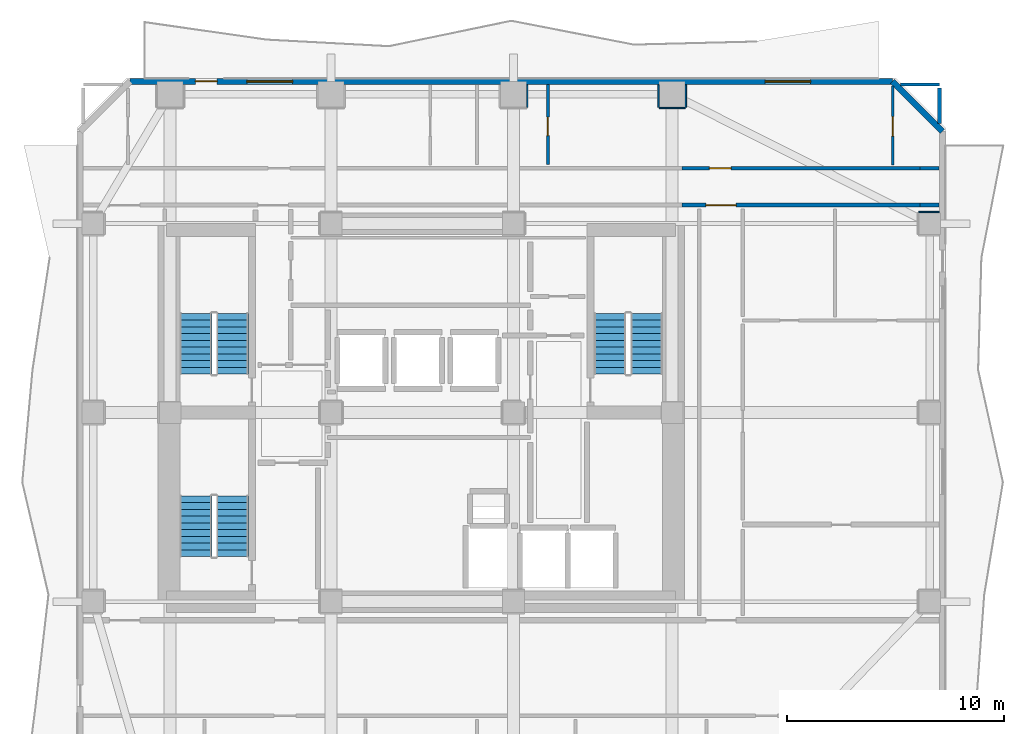
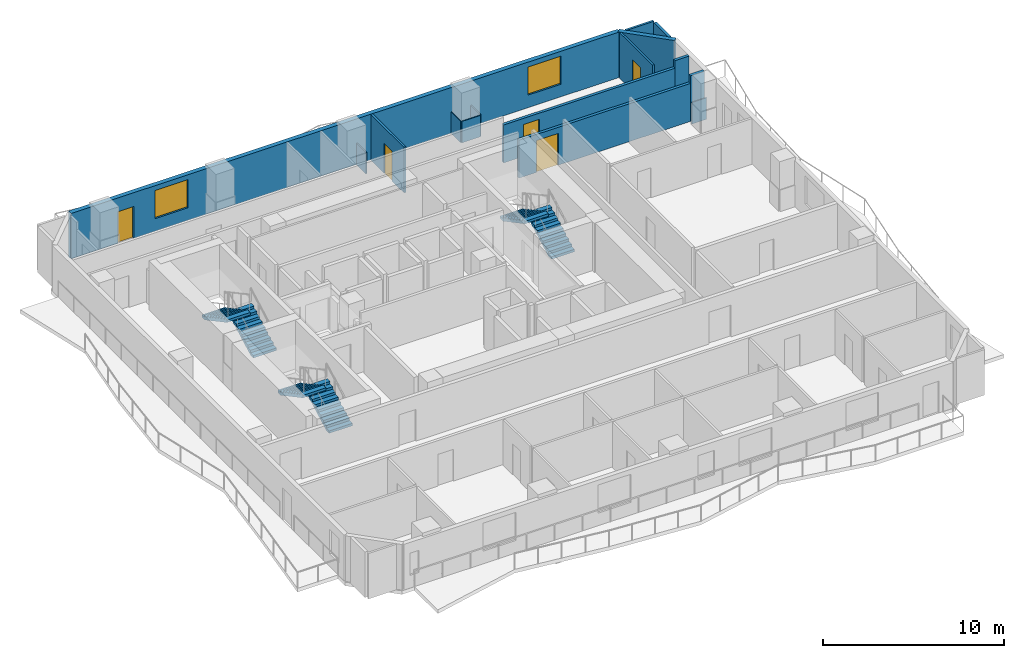
# One storey, part 6 of 9: 15 walls, 6 stair flights, 5 doors, 2 windows, 7 openings, 3 elements without a shape of their own.
"""IFC4 building model written with IfcOpenShell, lengths in metres."""

from ifc_helpers import new_model, si_unit, direction, frame, frame_2d, origin, place, context, subcontext, project, spatial, polyline, rectangle, outline, extrude, material, layer, layer_set, type_object, element, fill, aggregate, save


model = new_model("IFC4")

# Units and contexts
model_context = context("Model", 3, precision=1e-05, world=origin(), true_north=direction((0.0, 1.0)))
body_context = subcontext(model_context, "Body", "Model", "MODEL_VIEW")
ifc_project = project(units=[si_unit("LENGTHUNIT", "METRE"), si_unit("AREAUNIT", "SQUARE_METRE"), si_unit("VOLUMEUNIT", "CUBIC_METRE"), si_unit("PLANEANGLEUNIT", "RADIAN"), si_unit("MASSUNIT", "GRAM", prefix="KILO")], contexts=[model_context])

# Site, building, storey
site_placement = place(None, origin())
site = spatial("IfcSite", under=ifc_project, at=site_placement, CompositionType="ELEMENT")
building_placement = place(site_placement, origin())
building = spatial("IfcBuilding", under=site, at=building_placement, Name="Solanera Arch Residences", CompositionType="ELEMENT")
storey_placement = place(building_placement, frame((0.0, 0.0, 132.639892578125)))
storey = spatial("IfcBuildingStorey", under=building, at=storey_placement, Name="L38", CompositionType="ELEMENT", Elevation=132.639892578125)

# Walls
ifc_material_1 = material(Name="Fire-Rated Gypsum Stud Partition", Category="gypsum")
ifc_layer_1 = layer(ifc_material_1, 0.06005859375)
ifc_layer_set_1 = layer_set([ifc_layer_1], Name="Fire-Rated Gypsum Stud Partition")
wall_type_1 = type_object("IfcWallType", Name="Column Acoustic Furring Wall 60", PredefinedType="PARTITIONING", material=ifc_layer_set_1)
wall_1_placement = place(storey_placement, frame((29.83203125, 44.75, 0.0), z_axis=(0.0, 0.0, 1.0), x_axis=(0.0, 1.0, 0.0)))
element("IfcWall", 1, at=wall_1_placement, inside=storey, type_object=wall_type_1, Name="L38 Column Furring 14E", PredefinedType="PARTITIONING", context=body_context, shape_type="SweptSolid", body=[
    extrude(rectangle(XDim=1.0400390625, YDim=0.06005859375, at=frame_2d((0.52001953125, 0.0))), origin(), (0.0, 0.0, 1.0), 1.4501953125),
])
wall_2_placement = place(storey_placement, frame((35.89990234375, 44.718017578125, 0.0), z_axis=(0.0, 0.0, 1.0), x_axis=(1.0, 0.0, 0.0)))
element("IfcWall", 2, at=wall_2_placement, inside=storey, type_object=wall_type_1, Name="L38 Column Furring 16S", PredefinedType="PARTITIONING", context=body_context, shape_type="SweptSolid", body=[
    extrude(rectangle(XDim=1.2001953125, YDim=0.06005859375, at=frame_2d((0.60009765625, 0.0))), origin(), (0.0, 0.0, 1.0), 1.4501953125),
])
for number, where, z_axis, x_axis, name in (
    (3, (35.867919921875, 44.75, 0.0), (0.0, 0.0, 1.0), (0.0, 1.0, 0.0), "L38 Column Furring 16W"),
    (4, (37.132080078125, 44.75, 0.0), (0.0, 0.0, 1.0), (0.0, 1.0, 0.0), "L38 Column Furring 16E"),
):
    element("IfcWall", number, at=place(storey_placement, frame(where, z_axis=z_axis, x_axis=x_axis)), inside=storey, type_object=wall_type_1, Name=name, PredefinedType="PARTITIONING", context=body_context, shape_type="SweptSolid", body=[
        extrude(rectangle(XDim=1.0400390625, YDim=0.06005859375, at=frame_2d((0.52001953125, 0.0))), origin(), (0.0, 0.0, 1.0), 1.4501953125),
    ])
wall_3_placement = place(storey_placement, frame((47.85009765625, 39.931884765625, 0.0), z_axis=(0.0, 0.0, 1.0), x_axis=(1.0, 0.0, 0.0)))
element("IfcWall", 5, at=wall_3_placement, inside=storey, type_object=wall_type_1, Name="L38 Column Furring 22N", PredefinedType="PARTITIONING", context=body_context, shape_type="SweptSolid", body=[
    extrude(rectangle(XDim=0.93994140625, YDim=0.06005859375, at=frame_2d((0.469970703125, 0.0))), origin(), (0.0, 0.0, 1.0), 1.4501953125),
])

# Wall, opening, door
ifc_material_2 = material(Name="Autoclaved Aerated Concrete Blockwork", Category="masonry")
ifc_layer_2 = layer(ifc_material_2, 0.179931640625)
ifc_layer_set_2 = layer_set([ifc_layer_2], Name="Autoclaved Aerated Concrete Blockwork")
wall_type_2 = type_object("IfcWallType", Name="Corridor Fire Partition 180", PredefinedType="PARTITIONING", material=ifc_layer_set_2)
wall_4_placement = place(storey_placement, frame((36.943115234375, 40.25, 0.0), z_axis=(0.0, 0.0, 1.0), x_axis=(1.0, 0.0, 0.0)))
wall_4 = element("IfcWall", 6, at=wall_4_placement, inside=storey, type_object=wall_type_2, Name="L38 Interior Partition H12 2", PredefinedType="PARTITIONING", context=body_context, shape_type="SweptSolid", body=[
    extrude(rectangle(XDim=10.9638671875, YDim=0.179931640625, at=frame_2d((5.48193359375, 0.0))), origin(), (0.0, 0.0, 1.0), 2.565185546875),
])
opening_1_placement = place(wall_4_placement, frame((1.10693359375, 0.0, 0.0)))
opening_1 = element("IfcOpeningElement", 7, at=opening_1_placement, cuts=wall_4, Name="Opening DF-03", PredefinedType="OPENING", context=body_context, shape_type="SweptSolid", body=[
    extrude(rectangle(XDim=1.39990234375, YDim=2.14990234375, at=frame_2d((0.699951171875, 1.074951171875))), frame((0.0, 0.10009765625, 0.0), z_axis=(0.0, -1.0, 0.0), x_axis=(1.0, 0.0, 0.0)), (0.0, 0.0, 1.0), 0.1999),
])
ifc_material_3 = material(Name="Fire-Rated Architectural Hardwood", Category="wood")
door_type_1 = type_object("IfcDoorType", Name="Corridor Smoke Door DF-03", OperationType="NOTDEFINED", PredefinedType="DOOR", material=ifc_material_3)
door_1_placement = place(opening_1_placement, origin())
door_1 = element("IfcDoor", 8, at=door_1_placement, inside=storey, type_object=door_type_1, Name="DR-L38-IN-013", OperationType="SINGLE_SWING_RIGHT", OverallHeight=2.14990234375, OverallWidth=1.39990234375, PredefinedType="DOOR", context=body_context, shape_type="SweptSolid", body=[
    extrude(rectangle(XDim=1.39990234375, YDim=2.14990234375, at=frame_2d((0.699951171875, 1.074951171875))), frame((0.0, 0.02490234375, 0.0), z_axis=(0.0, -1.0, 0.0), x_axis=(1.0, 0.0, 0.0)), (0.0, 0.0, 1.0), 0.050048828125),
])
fill(opening_1, door_1)

# Wall
wall_5_placement = place(storey_placement, frame((47.906982421875, 40.25, 0.0), z_axis=(0.0, 0.0, 1.0), x_axis=(1.0, 0.0, 0.0)))
element("IfcWall", 9, at=wall_5_placement, inside=storey, type_object=wall_type_2, Name="L38 Interior Partition H12 3", PredefinedType="PARTITIONING", context=body_context, shape_type="SweptSolid", body=[
    extrude(rectangle(XDim=0.885986328125, YDim=0.179931640625, at=frame_2d((0.44287109375, 0.0))), origin(), (0.0, 0.0, 1.0), 3.080078125),
])

# Wall, opening, door
wall_6_placement = place(storey_placement, frame((36.943115234375, 41.949951171875, 0.0), z_axis=(0.0, 0.0, 1.0), x_axis=(1.0, 0.0, 0.0)))
wall_6 = element("IfcWall", 10, at=wall_6_placement, inside=storey, type_object=wall_type_2, Name="L38 Interior Partition H13 2", PredefinedType="PARTITIONING", context=body_context, shape_type="SweptSolid", body=[
    extrude(rectangle(XDim=10.9638671875, YDim=0.179931640625, at=frame_2d((5.48193359375, 0.0))), origin(), (0.0, 0.0, 1.0), 2.565185546875),
])
opening_2_placement = place(wall_6_placement, frame((1.27197265625, 0.0, 0.0)))
opening_2 = element("IfcOpeningElement", 11, at=opening_2_placement, cuts=wall_6, Name="Opening DI-01", PredefinedType="OPENING", context=body_context, shape_type="SweptSolid", body=[
    extrude(rectangle(XDim=1.0, YDim=2.14990234375, at=frame_2d((0.5, 1.074951171875))), frame((0.0, 0.10009765625, 0.0), z_axis=(0.0, -1.0, 0.0), x_axis=(1.0, 0.0, 0.0)), (0.0, 0.0, 1.0), 0.1999),
])
ifc_material_4 = material(Name="Fire-Rated Architectural Hardwood", Category="wood")
door_type_2 = type_object("IfcDoorType", Name="Unit Entrance Fire Door DI-01", OperationType="NOTDEFINED", PredefinedType="DOOR", material=ifc_material_4)
door_2_placement = place(opening_2_placement, origin())
door_2 = element("IfcDoor", 12, at=door_2_placement, inside=storey, type_object=door_type_2, Name="DR-L38-IN-032", OperationType="SINGLE_SWING_LEFT", OverallHeight=2.14990234375, OverallWidth=1.0, PredefinedType="DOOR", context=body_context, shape_type="SweptSolid", body=[
    extrude(rectangle(XDim=1.0, YDim=2.14990234375, at=frame_2d((0.5, 1.074951171875))), frame((0.0, 0.02490234375, 0.0), z_axis=(0.0, -1.0, 0.0), x_axis=(1.0, 0.0, 0.0)), (0.0, 0.0, 1.0), 0.050048828125),
])
fill(opening_2, door_2)

# Walls
wall_7_placement = place(storey_placement, frame((47.906982421875, 41.949951171875, 0.0), z_axis=(0.0, 0.0, 1.0), x_axis=(1.0, 0.0, 0.0)))
element("IfcWall", 13, at=wall_7_placement, inside=storey, type_object=wall_type_2, Name="L38 Interior Partition H13 3", PredefinedType="PARTITIONING", context=body_context, shape_type="SweptSolid", body=[
    extrude(rectangle(XDim=0.885986328125, YDim=0.179931640625, at=frame_2d((0.44287109375, 0.0))), origin(), (0.0, 0.0, 1.0), 3.080078125),
])
wall_8_placement = place(storey_placement, frame((48.800048828125, 44.0048828125, 0.0), z_axis=(0.0, 0.0, 1.0), x_axis=(0.0, 1.0, 0.0)))
element("IfcWall", 14, at=wall_8_placement, inside=storey, type_object=wall_type_2, Name="L38 Interior Partition V12 2", PredefinedType="PARTITIONING", context=body_context, shape_type="SweptSolid", body=[
    extrude(rectangle(XDim=1.627197265625, YDim=0.179931640625, at=frame_2d((0.8134765625, 0.0))), origin(), (0.0, 0.0, 1.0), 3.080078125),
])

# Wall, openings, door, windows
ifc_material_5 = material(Name="Precast Concrete C35/45", Category="concrete")
ifc_layer_3 = layer(ifc_material_5, 0.280029296875)
ifc_layer_set_3 = layer_set([ifc_layer_3], Name="Precast Concrete C35/45")
wall_type_3 = type_object("IfcWallType", Name="Exterior Wall Precast Masonry-Frame 280", PredefinedType="STANDARD", material=ifc_layer_set_3)
wall_9_placement = place(storey_placement, frame((11.554931640625, 45.945068359375, 0.0), z_axis=(0.0, 0.0, 1.0), x_axis=(1.0, 0.0, 0.0)))
wall_9 = element("IfcWall", 15, at=wall_9_placement, inside=storey, type_object=wall_type_3, Name="L38 Tower Exterior Precast Masonry-Frame Wall N", PredefinedType="STANDARD", context=body_context, shape_type="SweptSolid", body=[
    extrude(rectangle(XDim=35.090087890625, YDim=0.280029296875, at=frame_2d((17.544921875, 0.0))), origin(), (0.0, 0.0, 1.0), 3.080078125),
])
opening_3_placement = place(wall_9_placement, frame((3.009033203125, 0.0, 0.0)))
opening_3 = element("IfcOpeningElement", 16, at=opening_3_placement, cuts=wall_9, Name="Opening DB-01", PredefinedType="OPENING", context=body_context, shape_type="SweptSolid", body=[
    extrude(rectangle(XDim=1.0, YDim=2.14990234375, at=frame_2d((0.5, 1.074951171875))), frame((0.0, 0.14990234375, 0.0), z_axis=(0.0, -1.0, 0.0), x_axis=(1.0, 0.0, 0.0)), (0.0, 0.0, 1.0), 0.3),
])
opening_4_placement = place(wall_9_placement, frame((5.376953125, 0.0, 0.85009765625)))
opening_4 = element("IfcOpeningElement", 17, at=opening_4_placement, cuts=wall_9, Name="Opening W-04", PredefinedType="OPENING", context=body_context, shape_type="SweptSolid", body=[
    extrude(rectangle(XDim=2.10009765625, YDim=1.89990234375, at=frame_2d((1.050048828125, 0.949951171875))), frame((0.0, 0.14990234375, 0.0), z_axis=(0.0, -1.0, 0.0), x_axis=(1.0, 0.0, 0.0)), (0.0, 0.0, 1.0), 0.3),
])
opening_5_placement = place(wall_9_placement, frame((29.222900390625, 0.0, 0.85009765625)))
opening_5 = element("IfcOpeningElement", 18, at=opening_5_placement, cuts=wall_9, Name="Opening W-04", PredefinedType="OPENING", context=body_context, shape_type="SweptSolid", body=[
    extrude(rectangle(XDim=2.10009765625, YDim=1.89990234375, at=frame_2d((1.050048828125, 0.949951171875))), frame((0.0, 0.14990234375, 0.0), z_axis=(0.0, -1.0, 0.0), x_axis=(1.0, 0.0, 0.0)), (0.0, 0.0, 1.0), 0.3),
])
ifc_material_6 = material(Name="Anodised Aluminium Alloy 6063-T6", Category="aluminium")
door_type_3 = type_object("IfcDoorType", Name="Glazed Balcony Swing Door DB-01", OperationType="NOTDEFINED", PredefinedType="DOOR", material=ifc_material_6)
door_3_placement = place(opening_3_placement, origin())
door_3 = element("IfcDoor", 19, at=door_3_placement, inside=storey, type_object=door_type_3, Name="DR-L38-OUT-02", OperationType="SINGLE_SWING_LEFT", OverallHeight=2.14990234375, OverallWidth=1.0, PredefinedType="DOOR", context=body_context, shape_type="SweptSolid", body=[
    extrude(rectangle(XDim=1.0, YDim=2.14990234375, at=frame_2d((0.5, 1.074951171875))), frame((0.0, 0.02490234375, 0.0), z_axis=(0.0, -1.0, 0.0), x_axis=(1.0, 0.0, 0.0)), (0.0, 0.0, 1.0), 0.050048828125),
])
fill(opening_3, door_3)
ifc_material_7 = material(Name="Double Glazed Low-E Laminated Glass", Category="glass")
window_type = type_object("IfcWindowType", Name="Punched Window W-04", PartitioningType="DOUBLE_PANEL_VERTICAL", PredefinedType="WINDOW", material=ifc_material_7)
window_1_placement = place(opening_4_placement, origin())
window_1 = element("IfcWindow", 20, at=window_1_placement, inside=storey, type_object=window_type, Name="L38 3803-LIV Punched Window", OverallHeight=1.89990234375, OverallWidth=2.10009765625, PartitioningType="SINGLE_PANEL", PredefinedType="WINDOW", context=body_context, shape_type="SweptSolid", body=[
    extrude(rectangle(XDim=2.10009765625, YDim=1.89990234375, at=frame_2d((1.050048828125, 0.949951171875))), frame((0.0, 0.030029296875, 0.0), z_axis=(0.0, -1.0, 0.0), x_axis=(1.0, 0.0, 0.0)), (0.0, 0.0, 1.0), 0.06005859375),
])
fill(opening_4, window_1)
window_2_placement = place(opening_5_placement, origin())
window_2 = element("IfcWindow", 21, at=window_2_placement, inside=storey, type_object=window_type, Name="L38 3804-LIV Punched Window", OverallHeight=1.89990234375, OverallWidth=2.10009765625, PartitioningType="SINGLE_PANEL", PredefinedType="WINDOW", context=body_context, shape_type="SweptSolid", body=[
    extrude(rectangle(XDim=2.10009765625, YDim=1.89990234375, at=frame_2d((1.050048828125, 0.949951171875))), frame((0.0, 0.030029296875, 0.0), z_axis=(0.0, -1.0, 0.0), x_axis=(1.0, 0.0, 0.0)), (0.0, 0.0, 1.0), 0.06005859375),
])
fill(opening_5, window_2)

# Wall
wall_10_placement = place(storey_placement, frame((46.64501953125, 45.945068359375, 0.0), z_axis=(0.0, 0.0, 1.0), x_axis=(0.707106781187, -0.707106781187, 0.0)))
element("IfcWall", 22, at=wall_10_placement, inside=storey, type_object=wall_type_3, Name="L38 Tower Exterior Precast Masonry-Frame Wall CH3", PredefinedType="STANDARD", context=body_context, shape_type="SweptSolid", body=[
    extrude(rectangle(XDim=3.252685546875, YDim=0.280029296875, at=frame_2d((1.62646484375, 0.0))), origin(), (0.0, 0.0, 1.0), 3.080078125),
])

# Wall, opening, door
ifc_material_8 = material(Name="Fire-Rated Gypsum Stud Partition", Category="gypsum")
ifc_layer_4 = layer(ifc_material_8, 0.1201171875)
ifc_layer_set_4 = layer_set([ifc_layer_4], Name="Fire-Rated Gypsum Stud Partition")
wall_type_4 = type_object("IfcWallType", Name="Unit Drywall Partition 120", PredefinedType="PARTITIONING", material=ifc_layer_set_4)
wall_11_placement = place(storey_placement, frame((46.64990234375, 42.10791015625, 0.0), z_axis=(0.0, 0.0, 1.0), x_axis=(0.0, 1.0, 0.0)))
wall_11 = element("IfcWall", 23, at=wall_11_placement, inside=storey, type_object=wall_type_4, Name="L38 Interior Partition V24", PredefinedType="PARTITIONING", context=body_context, shape_type="SweptSolid", body=[
    extrude(rectangle(XDim=3.6171875, YDim=0.1201171875, at=frame_2d((1.80859375, 0.0))), origin(), (0.0, 0.0, 1.0), 3.080078125),
])
opening_6_placement = place(wall_11_placement, frame((1.31689453125, 0.0, 0.0)))
opening_6 = element("IfcOpeningElement", 24, at=opening_6_placement, cuts=wall_11, Name="Opening DI-02", PredefinedType="OPENING", context=body_context, shape_type="SweptSolid", body=[
    extrude(rectangle(XDim=0.89990234375, YDim=2.10009765625, at=frame_2d((0.449951171875, 1.050048828125))), frame((0.0, 0.070068359375, 0.0), z_axis=(0.0, -1.0, 0.0), x_axis=(1.0, 0.0, 0.0)), (0.0, 0.0, 1.0), 0.1401),
])
ifc_material_9 = material(Name="Fire-Rated Architectural Hardwood", Category="wood")
door_type_4 = type_object("IfcDoorType", Name="Suite Room Swing Door DI-02", OperationType="NOTDEFINED", PredefinedType="DOOR", material=ifc_material_9)
door_4_placement = place(opening_6_placement, origin())
door_4 = element("IfcDoor", 25, at=door_4_placement, inside=storey, type_object=door_type_4, Name="DR-L38-IN-034", OperationType="SINGLE_SWING_LEFT", OverallHeight=2.10009765625, OverallWidth=0.89990234375, PredefinedType="DOOR", context=body_context, shape_type="SweptSolid", body=[
    extrude(rectangle(XDim=0.89990234375, YDim=2.10009765625, at=frame_2d((0.449951171875, 1.050048828125))), frame((0.0, 0.02490234375, 0.0), z_axis=(0.0, -1.0, 0.0), x_axis=(1.0, 0.0, 0.0)), (0.0, 0.0, 1.0), 0.050048828125),
])
fill(opening_6, door_4)

# Wall
ifc_material_10 = material(Name="Autoclaved Aerated Concrete Blockwork", Category="masonry")
ifc_layer_5 = layer(ifc_material_10, 0.139892578125)
ifc_layer_set_5 = layer_set([ifc_layer_5], Name="Autoclaved Aerated Concrete Blockwork")
wall_type_5 = type_object("IfcWallType", Name="Wet-Room Partition 140", PredefinedType="PARTITIONING", material=ifc_layer_set_5)
wall_12_placement = place(storey_placement, frame((47.0048828125, 45.800048828125, 0.0), z_axis=(0.0, 0.0, 1.0), x_axis=(1.0, 0.0, 0.0)))
element("IfcWall", 26, at=wall_12_placement, inside=storey, type_object=wall_type_5, Name="L38 Interior Partition H18 2", PredefinedType="PARTITIONING", context=body_context, shape_type="SweptSolid", body=[
    extrude(rectangle(XDim=1.795166015625, YDim=0.139892578125, at=frame_2d((0.8974609375, 0.0))), origin(), (0.0, 0.0, 1.0), 3.080078125),
])

# Wall, opening, door
wall_13_placement = place(storey_placement, frame((30.780029296875, 42.117919921875, 0.0), z_axis=(0.0, 0.0, 1.0), x_axis=(0.0, 1.0, 0.0)))
wall_13 = element("IfcWall", 27, at=wall_13_placement, inside=storey, type_object=wall_type_5, Name="L38 Interior Partition V17", PredefinedType="PARTITIONING", context=body_context, shape_type="SweptSolid", body=[
    extrude(rectangle(XDim=3.675048828125, YDim=0.139892578125, at=frame_2d((1.83740234375, 0.0))), origin(), (0.0, 0.0, 1.0), 3.080078125),
])
opening_7_placement = place(wall_13_placement, frame((1.326904296875, 0.0, 0.0)))
opening_7 = element("IfcOpeningElement", 28, at=opening_7_placement, cuts=wall_13, Name="Opening DI-05", PredefinedType="OPENING", context=body_context, shape_type="SweptSolid", body=[
    extrude(rectangle(XDim=0.860107421875, YDim=2.02001953125, at=frame_2d((0.43017578125, 1.010009765625))), frame((0.0, 0.079833984375, 0.0), z_axis=(0.0, -1.0, 0.0), x_axis=(1.0, 0.0, 0.0)), (0.0, 0.0, 1.0), 0.1599),
])
ifc_material_11 = material(Name="Fire-Rated Architectural Hardwood", Category="wood")
door_type_5 = type_object("IfcDoorType", Name="Bathroom Swing Door DI-05", OperationType="NOTDEFINED", PredefinedType="DOOR", material=ifc_material_11)
door_5_placement = place(opening_7_placement, origin())
door_5 = element("IfcDoor", 29, at=door_5_placement, inside=storey, type_object=door_type_5, Name="DR-L38-IN-033", OperationType="SINGLE_SWING_RIGHT", OverallHeight=2.02001953125, OverallWidth=0.860107421875, PredefinedType="DOOR", context=body_context, shape_type="SweptSolid", body=[
    extrude(rectangle(XDim=0.860107421875, YDim=2.02001953125, at=frame_2d((0.43017578125, 1.010009765625))), frame((0.0, 0.02490234375, 0.0), z_axis=(0.0, -1.0, 0.0), x_axis=(1.0, 0.0, 0.0)), (0.0, 0.0, 1.0), 0.050048828125),
])
fill(opening_7, door_5)

# Stair, stair flights
ifc_material_12 = material(Name="Concrete C40/50 (f'c = 45 MPa)", Category="concrete")
stair_type = type_object("IfcStairType", Name="Tower Dogleg Exit Stair 1480", PredefinedType="HALF_TURN_STAIR", material=ifc_material_12)
stair_1_placement = place(storey_placement, origin())
stair_1 = element("IfcStair", 30, at=stair_1_placement, inside=storey, type_object=stair_type, Name="L38 Tower Core Exit Stair 1", PredefinedType="HALF_TURN_STAIR")
ifc_material_13 = material(Name="Concrete C40/50 (f'c = 45 MPa)", Category="concrete")
stair_flight_type = type_object("IfcStairFlightType", Name="Tower Precast Stair Flight 1480", PredefinedType="STRAIGHT", material=ifc_material_13)
stair_flight_1_placement = place(storey_placement, frame((16.260009765625, 32.47998046875, 0.0), z_axis=(0.0, 0.0, 1.0), x_axis=(0.0, 1.0, 0.0)))
stair_flight_1 = element("IfcStairFlight", 31, at=stair_flight_1_placement, type_object=stair_flight_type, Name="ST-T1 flight 1", NumberOfRisers=10, NumberOfTreads=9, PredefinedType="STRAIGHT", RiserHeight=0.166, TreadLength=0.31, context=body_context, shape_type="SweptSolid", body=[
    extrude(outline(polyline([(0.0, 0.0), (0.0, 0.166015625), (0.31005859375, 0.166015625), (0.31005859375, 0.33203125), (0.6201171875, 0.33203125), (0.6201171875, 0.498046875), (0.929931640625, 0.498046875), (0.929931640625, 0.6640625), (1.239990234375, 0.6640625), (1.239990234375, 0.830078125), (1.550048828125, 0.830078125), (1.550048828125, 0.99609375), (1.860107421875, 0.99609375), (1.860107421875, 1.162109375), (2.169921875, 1.162109375), (2.169921875, 1.327880859375), (2.47998046875, 1.327880859375), (2.47998046875, 1.493896484375), (2.7900390625, 1.493896484375), (2.7900390625, 1.659912109375), (2.7900390625, 1.323974609375), (0.317626953125, 0.0), (0.0, 0.0)])), frame((0.0, 0.739990234375, 0.0), z_axis=(0.0, -1.0, 0.0), x_axis=(1.0, 0.0, 0.0)), (0.0, 0.0, 1.0), 1.47998046875),
])
stair_flight_2_placement = place(storey_placement, frame((14.580078125, 35.27001953125, 1.66015625), z_axis=(0.0, 0.0, 1.0), x_axis=(0.0, -1.0, 0.0)))
stair_flight_2 = element("IfcStairFlight", 32, at=stair_flight_2_placement, type_object=stair_flight_type, Name="ST-T1 flight 2", NumberOfRisers=10, NumberOfTreads=9, PredefinedType="STRAIGHT", RiserHeight=0.166, TreadLength=0.31, context=body_context, shape_type="SweptSolid", body=[
    extrude(outline(polyline([(0.0, 0.0), (0.0, 0.166015625), (0.31005859375, 0.166015625), (0.31005859375, 0.33203125), (0.6201171875, 0.33203125), (0.6201171875, 0.498046875), (0.929931640625, 0.498046875), (0.929931640625, 0.6640625), (1.239990234375, 0.6640625), (1.239990234375, 0.830078125), (1.550048828125, 0.830078125), (1.550048828125, 0.99609375), (1.860107421875, 0.99609375), (1.860107421875, 1.162109375), (2.169921875, 1.162109375), (2.169921875, 1.327880859375), (2.47998046875, 1.327880859375), (2.47998046875, 1.493896484375), (2.7900390625, 1.493896484375), (2.7900390625, 1.659912109375), (2.7900390625, 1.323974609375), (0.317626953125, 0.0), (0.0, 0.0)])), frame((0.0, 0.739990234375, 0.0), z_axis=(0.0, -1.0, 0.0), x_axis=(1.0, 0.0, 0.0)), (0.0, 0.0, 1.0), 1.47998046875),
])
aggregate(stair_1, [stair_flight_1, stair_flight_2])

stair_2_placement = place(storey_placement, origin())
stair_2 = element("IfcStair", 33, at=stair_2_placement, inside=storey, type_object=stair_type, Name="L38 Tower Core Exit Stair 2", PredefinedType="HALF_TURN_STAIR")
stair_flight_3_placement = place(storey_placement, frame((35.320068359375, 32.47998046875, 0.0), z_axis=(0.0, 0.0, 1.0), x_axis=(0.0, 1.0, 0.0)))
stair_flight_3 = element("IfcStairFlight", 34, at=stair_flight_3_placement, type_object=stair_flight_type, Name="ST-T2 flight 1", NumberOfRisers=10, NumberOfTreads=9, PredefinedType="STRAIGHT", RiserHeight=0.166, TreadLength=0.31, context=body_context, shape_type="SweptSolid", body=[
    extrude(outline(polyline([(0.0, 0.0), (0.0, 0.166015625), (0.31005859375, 0.166015625), (0.31005859375, 0.33203125), (0.6201171875, 0.33203125), (0.6201171875, 0.498046875), (0.929931640625, 0.498046875), (0.929931640625, 0.6640625), (1.239990234375, 0.6640625), (1.239990234375, 0.830078125), (1.550048828125, 0.830078125), (1.550048828125, 0.99609375), (1.860107421875, 0.99609375), (1.860107421875, 1.162109375), (2.169921875, 1.162109375), (2.169921875, 1.327880859375), (2.47998046875, 1.327880859375), (2.47998046875, 1.493896484375), (2.7900390625, 1.493896484375), (2.7900390625, 1.659912109375), (2.7900390625, 1.323974609375), (0.317626953125, 0.0), (0.0, 0.0)])), frame((0.0, 0.739990234375, 0.0), z_axis=(0.0, -1.0, 0.0), x_axis=(1.0, 0.0, 0.0)), (0.0, 0.0, 1.0), 1.47998046875),
])
stair_flight_4_placement = place(storey_placement, frame((33.639892578125, 35.27001953125, 1.66015625), z_axis=(0.0, 0.0, 1.0), x_axis=(0.0, -1.0, 0.0)))
stair_flight_4 = element("IfcStairFlight", 35, at=stair_flight_4_placement, type_object=stair_flight_type, Name="ST-T2 flight 2", NumberOfRisers=10, NumberOfTreads=9, PredefinedType="STRAIGHT", RiserHeight=0.166, TreadLength=0.31, context=body_context, shape_type="SweptSolid", body=[
    extrude(outline(polyline([(0.0, 0.0), (0.0, 0.166015625), (0.31005859375, 0.166015625), (0.31005859375, 0.33203125), (0.6201171875, 0.33203125), (0.6201171875, 0.498046875), (0.929931640625, 0.498046875), (0.929931640625, 0.6640625), (1.239990234375, 0.6640625), (1.239990234375, 0.830078125), (1.550048828125, 0.830078125), (1.550048828125, 0.99609375), (1.860107421875, 0.99609375), (1.860107421875, 1.162109375), (2.169921875, 1.162109375), (2.169921875, 1.327880859375), (2.47998046875, 1.327880859375), (2.47998046875, 1.493896484375), (2.7900390625, 1.493896484375), (2.7900390625, 1.659912109375), (2.7900390625, 1.323974609375), (0.317626953125, 0.0), (0.0, 0.0)])), frame((0.0, 0.739990234375, 0.0), z_axis=(0.0, -1.0, 0.0), x_axis=(1.0, 0.0, 0.0)), (0.0, 0.0, 1.0), 1.47998046875),
])
aggregate(stair_2, [stair_flight_3, stair_flight_4])

stair_3_placement = place(storey_placement, origin())
stair_3 = element("IfcStair", 36, at=stair_3_placement, inside=storey, type_object=stair_type, Name="L38 Tower Core Exit Stair 3", PredefinedType="HALF_TURN_STAIR")
stair_flight_5_placement = place(storey_placement, frame((16.260009765625, 24.080078125, 0.0), z_axis=(0.0, 0.0, 1.0), x_axis=(0.0, 1.0, 0.0)))
stair_flight_5 = element("IfcStairFlight", 37, at=stair_flight_5_placement, type_object=stair_flight_type, Name="ST-T3 flight 1", NumberOfRisers=10, NumberOfTreads=9, PredefinedType="STRAIGHT", RiserHeight=0.166, TreadLength=0.31, context=body_context, shape_type="SweptSolid", body=[
    extrude(outline(polyline([(0.0, 0.0), (0.0, 0.166015625), (0.31005859375, 0.166015625), (0.31005859375, 0.33203125), (0.6201171875, 0.33203125), (0.6201171875, 0.498046875), (0.929931640625, 0.498046875), (0.929931640625, 0.6640625), (1.239990234375, 0.6640625), (1.239990234375, 0.830078125), (1.550048828125, 0.830078125), (1.550048828125, 0.99609375), (1.860107421875, 0.99609375), (1.860107421875, 1.162109375), (2.169921875, 1.162109375), (2.169921875, 1.327880859375), (2.47998046875, 1.327880859375), (2.47998046875, 1.493896484375), (2.7900390625, 1.493896484375), (2.7900390625, 1.659912109375), (2.7900390625, 1.323974609375), (0.317626953125, 0.0), (0.0, 0.0)])), frame((0.0, 0.739990234375, 0.0), z_axis=(0.0, -1.0, 0.0), x_axis=(1.0, 0.0, 0.0)), (0.0, 0.0, 1.0), 1.47998046875),
])
stair_flight_6_placement = place(storey_placement, frame((14.580078125, 26.8701171875, 1.66015625), z_axis=(0.0, 0.0, 1.0), x_axis=(0.0, -1.0, 0.0)))
stair_flight_6 = element("IfcStairFlight", 38, at=stair_flight_6_placement, type_object=stair_flight_type, Name="ST-T3 flight 2", NumberOfRisers=10, NumberOfTreads=9, PredefinedType="STRAIGHT", RiserHeight=0.166, TreadLength=0.31, context=body_context, shape_type="SweptSolid", body=[
    extrude(outline(polyline([(0.0, 0.0), (0.0, 0.166015625), (0.31005859375, 0.166015625), (0.31005859375, 0.33203125), (0.6201171875, 0.33203125), (0.6201171875, 0.498046875), (0.929931640625, 0.498046875), (0.929931640625, 0.6640625), (1.239990234375, 0.6640625), (1.239990234375, 0.830078125), (1.550048828125, 0.830078125), (1.550048828125, 0.99609375), (1.860107421875, 0.99609375), (1.860107421875, 1.162109375), (2.169921875, 1.162109375), (2.169921875, 1.327880859375), (2.47998046875, 1.327880859375), (2.47998046875, 1.493896484375), (2.7900390625, 1.493896484375), (2.7900390625, 1.659912109375), (2.7900390625, 1.323974609375), (0.317626953125, 0.0), (0.0, 0.0)])), frame((0.0, 0.739990234375, 0.0), z_axis=(0.0, -1.0, 0.0), x_axis=(1.0, 0.0, 0.0)), (0.0, 0.0, 1.0), 1.47998046875),
])
aggregate(stair_3, [stair_flight_5, stair_flight_6])

save(model, "model.ifc")
